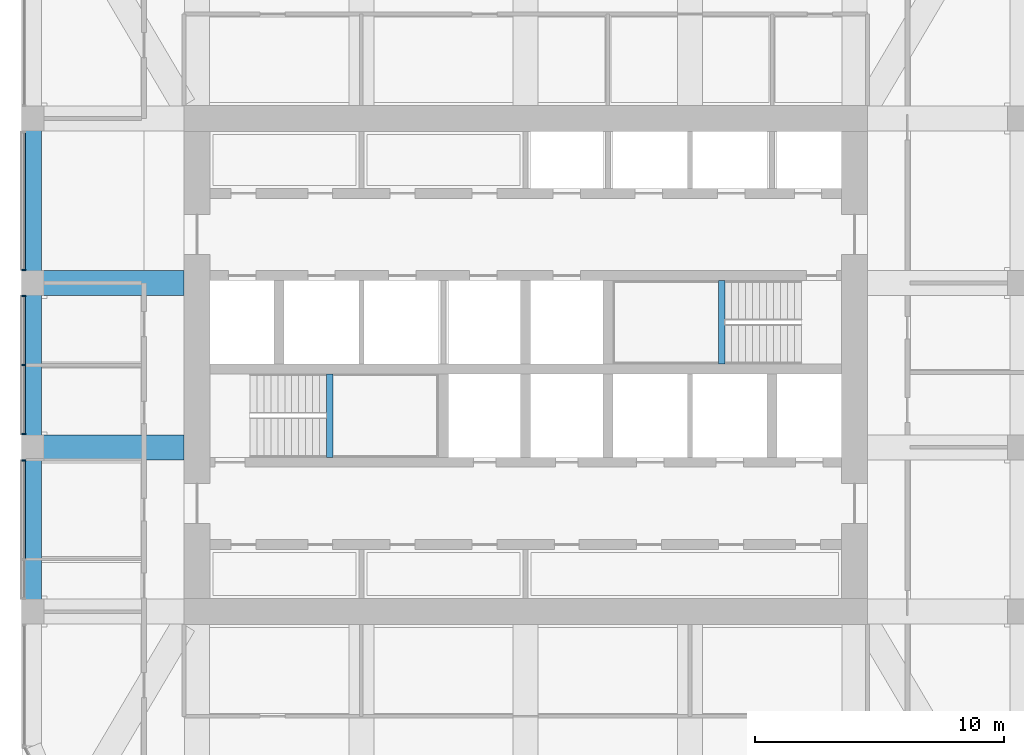
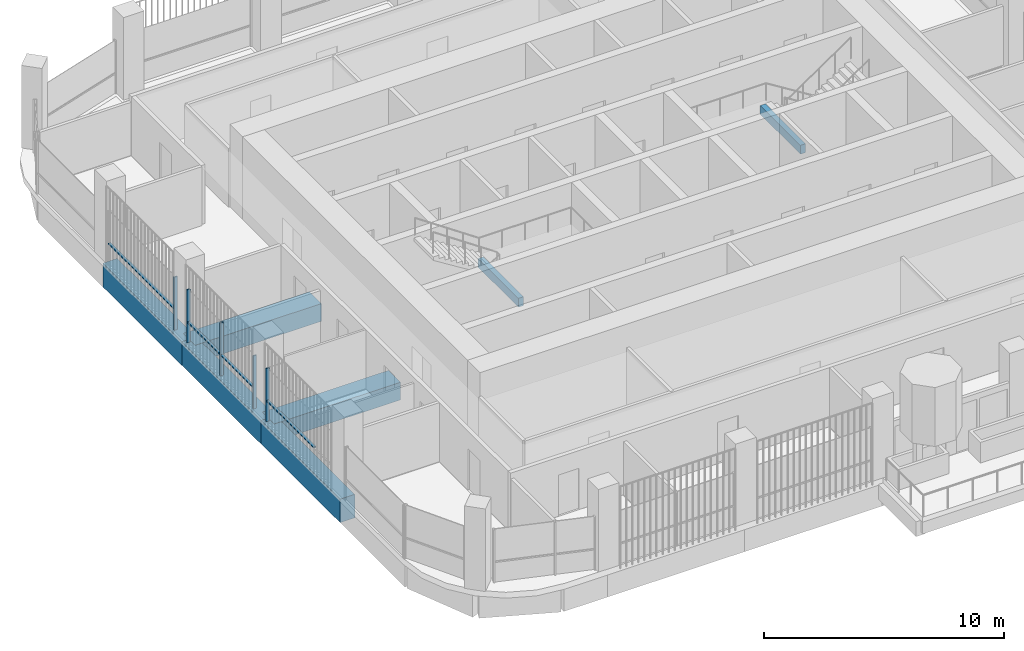
# One storey, part 4 of 21: 9 members, 7 beams, 3 elements without a shape of their own.
"""IFC4 building model written with IfcOpenShell, lengths in metres."""

from ifc_helpers import new_model, si_unit, direction, frame, origin, origin_2d, place, context, subcontext, project, spatial, rectangle, extrude, material, material_profile, profile_set, type_object, element, aggregate, save


model = new_model("IFC4")

# Units and contexts
model_context = context("Model", 3, precision=1e-05, world=origin(), true_north=direction((0.0, 1.0)))
body_context = subcontext(model_context, "Body", "Model", "MODEL_VIEW")
ifc_project = project(units=[si_unit("LENGTHUNIT", "METRE"), si_unit("AREAUNIT", "SQUARE_METRE"), si_unit("VOLUMEUNIT", "CUBIC_METRE"), si_unit("PLANEANGLEUNIT", "RADIAN"), si_unit("MASSUNIT", "GRAM", prefix="KILO")], contexts=[model_context])

# Site, building, storey
site_placement = place(None, origin())
site = spatial("IfcSite", under=ifc_project, at=site_placement, CompositionType="ELEMENT")
building_placement = place(site_placement, origin())
building = spatial("IfcBuilding", under=site, at=building_placement, Name="Cobogo Forest Laboratory Tower", CompositionType="ELEMENT")
storey_placement = place(building_placement, frame((0.0, 0.0, 283.800048828125)))
storey = spatial("IfcBuildingStorey", under=building, at=storey_placement, Name="L65", CompositionType="ELEMENT", Elevation=283.800048828125)

# Beams
ifc_material_1 = material(Name="Concrete HA-40 (C40/50)", Category="concrete")
ifc_material_profile_1 = material_profile(ifc_material_1, rectangle(XDim=0.25, YDim=0.449951171875, at=origin_2d()), Name="RC 250x450")
ifc_profile_set_1 = profile_set([ifc_material_profile_1], Name="Concrete HA-40 (C40/50)")
beam_type_1 = type_object("IfcBeamType", Name="LB1 landing beam 250x450", PredefinedType="BEAM", material=ifc_profile_set_1)
for number, where, z_axis, x_axis, name in (
    (1, (18.530029296875, 19.39990234375, 1.675048828125), (0.0, 1.0, 0.0), (-1.0, 0.0, 0.0), "Landing beam ST1 L65"),
    (2, (34.27001953125, 23.14990234375, 1.675048828125), (0.0, 1.0, 0.0), (-1.0, 0.0, 0.0), "Landing beam ST2 L65"),
):
    element("IfcBeam", number, at=place(storey_placement, frame(where, z_axis=z_axis, x_axis=x_axis)), inside=storey, type_object=beam_type_1, Name=name, PredefinedType="BEAM", context=body_context, shape_type="SweptSolid", body=[
        extrude(rectangle(XDim=0.25, YDim=0.449951171875, at=origin_2d()), origin(), (0.0, 0.0, 1.0), 3.35009765625),
    ])

# Curtain wall, member
ifc_material_2 = material(Name="Aluminium curtain wall", Category="aluminium")
curtain_wall_type = type_object("IfcCurtainWallType", Name="CW-2 unitised curtain wall, solar control glazing, laboratory floors zones C and D", PredefinedType="USERDEFINED", material=ifc_material_2)
curtain_wall_1_placement = place(storey_placement, origin())
curtain_wall_1 = element("IfcCurtainWall", 3, at=curtain_wall_1_placement, inside=storey, type_object=curtain_wall_type, Name="Curtain wall 21 L65", ObjectType="UNITISED CURTAIN WALL", PredefinedType="USERDEFINED")
ifc_material_3 = material(Name="Aluminium mullion", Category="aluminium")
ifc_material_profile_2 = material_profile(ifc_material_3, rectangle(XDim=0.06005859375, YDim=0.159912109375, at=origin_2d()), Name="AL 60x160")
ifc_profile_set_2 = profile_set([ifc_material_profile_2], Name="Aluminium mullion")
member_type_1 = type_object("IfcMemberType", Name="MU-1 aluminium mullion 60x160", PredefinedType="MULLION", material=ifc_profile_set_2)
member_1_placement = place(storey_placement, frame((6.25, 26.929931640625, 0.0), z_axis=(0.0, 0.0, 1.0), x_axis=(0.0, -1.0, 0.0)))
member_1 = element("IfcMember", 4, at=member_1_placement, type_object=member_type_1, Name="CW-2 mullion 2", PredefinedType="MULLION", context=body_context, shape_type="SweptSolid", body=[
    extrude(rectangle(XDim=0.06005859375, YDim=0.159912109375, at=origin_2d()), origin(), (0.0, 0.0, 1.0), 2.699951171875),
])

# Curtain wall, members
curtain_wall_2_placement = place(storey_placement, origin())
curtain_wall_2 = element("IfcCurtainWall", 5, at=curtain_wall_2_placement, inside=storey, type_object=curtain_wall_type, Name="Curtain wall 22 L65", ObjectType="UNITISED CURTAIN WALL", PredefinedType="USERDEFINED")
member_2_placement = place(storey_placement, frame((6.25, 25.8701171875, 0.0), z_axis=(0.0, 0.0, 1.0), x_axis=(0.0, -1.0, 0.0)))
member_2 = element("IfcMember", 6, at=member_2_placement, type_object=member_type_1, Name="CW-2 mullion 1", PredefinedType="MULLION", context=body_context, shape_type="SweptSolid", body=[
    extrude(rectangle(XDim=0.06005859375, YDim=0.159912109375, at=origin_2d()), origin(), (0.0, 0.0, 1.0), 2.699951171875),
])
member_3_placement = place(storey_placement, frame((6.25, 23.10009765625, 0.0), z_axis=(0.0, 0.0, 1.0), x_axis=(0.0, -1.0, 0.0)))
member_3 = element("IfcMember", 7, at=member_3_placement, type_object=member_type_1, Name="CW-2 mullion 2", PredefinedType="MULLION", context=body_context, shape_type="SweptSolid", body=[
    extrude(rectangle(XDim=0.06005859375, YDim=0.159912109375, at=origin_2d()), origin(), (0.0, 0.0, 1.0), 2.699951171875),
])
member_4_placement = place(storey_placement, frame((6.25, 20.330078125, 0.0), z_axis=(0.0, 0.0, 1.0), x_axis=(0.0, -1.0, 0.0)))
member_4 = element("IfcMember", 8, at=member_4_placement, type_object=member_type_1, Name="CW-2 mullion 3", PredefinedType="MULLION", context=body_context, shape_type="SweptSolid", body=[
    extrude(rectangle(XDim=0.06005859375, YDim=0.159912109375, at=origin_2d()), origin(), (0.0, 0.0, 1.0), 2.699951171875),
])

# Curtain wall, member
curtain_wall_3_placement = place(storey_placement, origin())
curtain_wall_3 = element("IfcCurtainWall", 9, at=curtain_wall_3_placement, inside=storey, type_object=curtain_wall_type, Name="Curtain wall 23 L65", ObjectType="UNITISED CURTAIN WALL", PredefinedType="USERDEFINED")
member_5_placement = place(storey_placement, frame((6.25, 19.27001953125, 0.0), z_axis=(0.0, 0.0, 1.0), x_axis=(0.0, -1.0, 0.0)))
member_5 = element("IfcMember", 10, at=member_5_placement, type_object=member_type_1, Name="CW-2 mullion 1", PredefinedType="MULLION", context=body_context, shape_type="SweptSolid", body=[
    extrude(rectangle(XDim=0.06005859375, YDim=0.159912109375, at=origin_2d()), origin(), (0.0, 0.0, 1.0), 2.699951171875),
])

# Beams
ifc_material_profile_3 = material_profile(ifc_material_1, rectangle(XDim=1.0, YDim=0.89990234375, at=origin_2d()), Name="RC 1000x900")
ifc_profile_set_3 = profile_set([ifc_material_profile_3], Name="Concrete HA-40 (C40/50)")
beam_type_2 = type_object("IfcBeamType", Name="Office floor wide beam 1000x900", PredefinedType="BEAM", material=ifc_profile_set_3)
for number, where, z_axis, x_axis, name in (
    (11, (12.675048828125, 19.800048828125, -0.75), (-1.0, 0.0, 0.0), (0.0, -1.0, 0.0), "RB2 R-D-W L65"),
    (12, (12.675048828125, 26.39990234375, -0.75), (-1.0, 0.0, 0.0), (0.0, -1.0, 0.0), "RB2 R-E-W L65"),
):
    element("IfcBeam", number, at=place(storey_placement, frame(where, z_axis=z_axis, x_axis=x_axis)), inside=storey, type_object=beam_type_2, Name=name, PredefinedType="BEAM", context=body_context, shape_type="SweptSolid", body=[
        extrude(rectangle(XDim=1.0, YDim=0.89990234375, at=origin_2d()), origin(), (0.0, 0.0, 1.0), 6.074951171875),
    ])
ifc_material_profile_4 = material_profile(ifc_material_1, rectangle(XDim=0.699951171875, YDim=1.199951171875, at=origin_2d()), Name="RC 700x1200")
ifc_profile_set_4 = profile_set([ifc_material_profile_4], Name="Concrete HA-40 (C40/50)")
beam_type_3 = type_object("IfcBeamType", Name="Perimeter edge beam 700x1200", PredefinedType="BEAM", material=ifc_profile_set_4)
beam_1_placement = place(storey_placement, frame((6.60009765625, 13.199951171875, -0.900146484375), z_axis=(0.0, 1.0, 0.0), x_axis=(-1.0, 0.0, 0.0)))
element("IfcBeam", 13, at=beam_1_placement, inside=storey, type_object=beam_type_3, Name="EB1 E-W1 L65", PredefinedType="BEAM", context=body_context, shape_type="SweptSolid", body=[
    extrude(rectangle(XDim=0.699951171875, YDim=1.199951171875, at=origin_2d()), origin(), (0.0, 0.0, 1.0), 6.60009765625),
])
beam_2_placement = place(storey_placement, frame((6.60009765625, 19.800048828125, -0.900146484375), z_axis=(0.0, 1.0, 0.0), x_axis=(-1.0, 0.0, 0.0)))
element("IfcBeam", 14, at=beam_2_placement, inside=storey, type_object=beam_type_3, Name="EB1 E-W2 L65", PredefinedType="BEAM", context=body_context, shape_type="SweptSolid", body=[
    extrude(rectangle(XDim=0.699951171875, YDim=1.199951171875, at=origin_2d()), origin(), (0.0, 0.0, 1.0), 6.599853515625),
])
beam_3_placement = place(storey_placement, frame((6.60009765625, 26.39990234375, -0.900146484375), z_axis=(0.0, 1.0, 0.0), x_axis=(-1.0, 0.0, 0.0)))
element("IfcBeam", 15, at=beam_3_placement, inside=storey, type_object=beam_type_3, Name="EB1 E-W3 L65", PredefinedType="BEAM", context=body_context, shape_type="SweptSolid", body=[
    extrude(rectangle(XDim=0.699951171875, YDim=1.199951171875, at=origin_2d()), origin(), (0.0, 0.0, 1.0), 6.60009765625),
])

# Member
ifc_material_4 = material(Name="Aluminium transom", Category="aluminium")
ifc_material_profile_5 = material_profile(ifc_material_4, rectangle(XDim=0.1201171875, YDim=0.06005859375, at=origin_2d()), Name="AL 60x120")
ifc_profile_set_5 = profile_set([ifc_material_profile_5], Name="Aluminium transom")
member_type_2 = type_object("IfcMemberType", Name="TR-1 aluminium transom 60x120", PredefinedType="USERDEFINED", material=ifc_profile_set_5)
member_6_placement = place(storey_placement, frame((6.25, 32.43994140625, 1.050048828125), z_axis=(0.0, -1.0, 0.0), x_axis=(1.0, 0.0, 0.0)))
member_6 = element("IfcMember", 16, at=member_6_placement, type_object=member_type_2, Name="CW-2 transom 1.1", ObjectType="TRANSOM", PredefinedType="USERDEFINED", context=body_context, shape_type="SweptSolid", body=[
    extrude(rectangle(XDim=0.1201171875, YDim=0.06005859375, at=origin_2d()), origin(), (0.0, 0.0, 1.0), 5.47998046875),
])

aggregate(curtain_wall_1, [member_1, member_6])

member_7_placement = place(storey_placement, frame((6.25, 25.840087890625, 1.050048828125), z_axis=(0.0, -1.0, 0.0), x_axis=(1.0, 0.0, 0.0)))
member_7 = element("IfcMember", 17, at=member_7_placement, type_object=member_type_2, Name="CW-2 transom 1.1", ObjectType="TRANSOM", PredefinedType="USERDEFINED", context=body_context, shape_type="SweptSolid", body=[
    extrude(rectangle(XDim=0.1201171875, YDim=0.06005859375, at=origin_2d()), origin(), (0.0, 0.0, 1.0), 2.710205078125),
])

member_8_placement = place(storey_placement, frame((6.25, 23.070068359375, 1.050048828125), z_axis=(0.0, -1.0, 0.0), x_axis=(1.0, 0.0, 0.0)))
member_8 = element("IfcMember", 18, at=member_8_placement, type_object=member_type_2, Name="CW-2 transom 2.1", ObjectType="TRANSOM", PredefinedType="USERDEFINED", context=body_context, shape_type="SweptSolid", body=[
    extrude(rectangle(XDim=0.1201171875, YDim=0.06005859375, at=origin_2d()), origin(), (0.0, 0.0, 1.0), 2.7099609375),
])

aggregate(curtain_wall_2, [member_2, member_3, member_4, member_7, member_8])

member_9_placement = place(storey_placement, frame((6.25, 19.239990234375, 1.050048828125), z_axis=(0.0, -1.0, 0.0), x_axis=(1.0, 0.0, 0.0)))
member_9 = element("IfcMember", 19, at=member_9_placement, type_object=member_type_2, Name="CW-2 transom 1.1", ObjectType="TRANSOM", PredefinedType="USERDEFINED", context=body_context, shape_type="SweptSolid", body=[
    extrude(rectangle(XDim=0.1201171875, YDim=0.06005859375, at=origin_2d()), origin(), (0.0, 0.0, 1.0), 3.909912109375),
])

aggregate(curtain_wall_3, [member_5, member_9])

save(model, "model.ifc")
